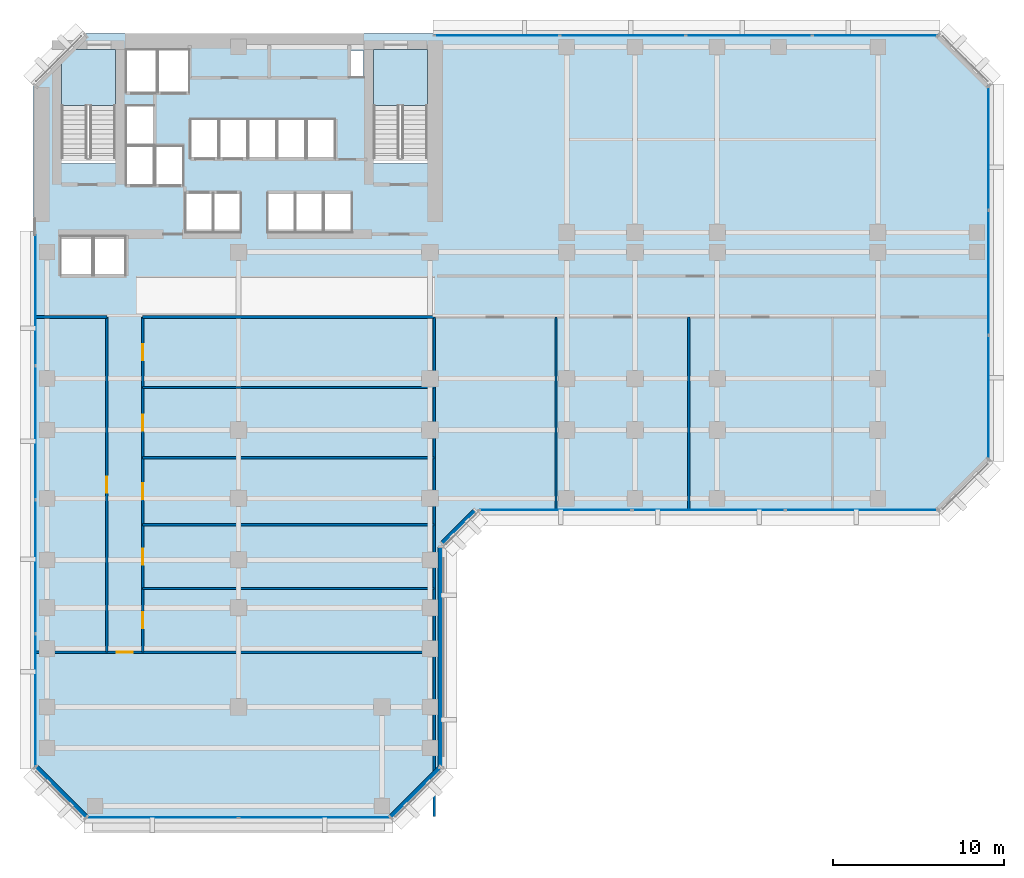
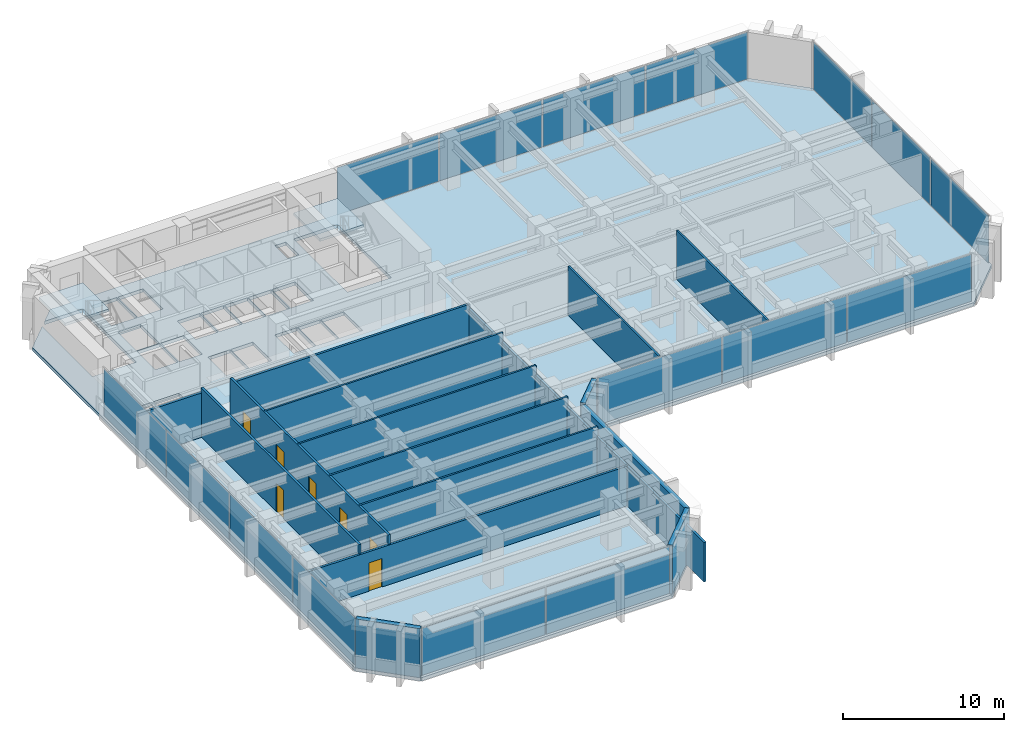
# One storey, part 6 of 13: 16 plates, 16 walls, 7 doors, 3 slabs, 7 openings, 7 elements without a shape of their own.
"""IFC4 building model written with IfcOpenShell, lengths in metres."""

from ifc_helpers import new_model, si_unit, direction, frame, frame_2d, origin, origin_2d, place, context, subcontext, project, spatial, polyline, rectangle, outline, extrude, material, layer, layer_set, type_object, element, fill, aggregate, save


model = new_model("IFC4")

# Units and contexts
model_context = context("Model", 3, precision=1e-05, world=origin(), true_north=direction((0.0, 1.0)))
body_context = subcontext(model_context, "Body", "Model", "MODEL_VIEW")
ifc_project = project(units=[si_unit("LENGTHUNIT", "METRE"), si_unit("AREAUNIT", "SQUARE_METRE"), si_unit("VOLUMEUNIT", "CUBIC_METRE"), si_unit("PLANEANGLEUNIT", "RADIAN"), si_unit("MASSUNIT", "GRAM", prefix="KILO")], contexts=[model_context])

# Site, building, storey
site_placement = place(None, origin())
site = spatial("IfcSite", under=ifc_project, at=site_placement, CompositionType="ELEMENT")
building_placement = place(site_placement, origin())
building = spatial("IfcBuilding", under=site, at=building_placement, Name="Kefirva Bronze Tower", CompositionType="ELEMENT")
storey_placement = place(building_placement, frame((0.0, 0.0, 85.800048828125)))
storey = spatial("IfcBuildingStorey", under=building, at=storey_placement, Name="L20", CompositionType="ELEMENT", Elevation=85.800048828125)

# Stair, slab
ifc_material_1 = material(Name="Concrete C40/50", Category="concrete")
stair_type = type_object("IfcStairType", Name="RC Dogleg Protected Stair 24R", PredefinedType="HALF_TURN_STAIR", material=ifc_material_1)
stair_1_placement = place(storey_placement, origin())
stair_1 = element("IfcStair", 1, at=stair_1_placement, inside=storey, type_object=stair_type, Name="L20 Protected Exit Stair 1", PredefinedType="HALF_TURN_STAIR")
ifc_layer_1 = layer(ifc_material_1, 0.199951171875, Name="Concrete C40/50")
ifc_layer_set_1 = layer_set([ifc_layer_1], Name="Concrete C40/50")
slab_type_1 = type_object("IfcSlabType", Name="RC Stair Landing Slab 200mm", PredefinedType="LANDING", material=ifc_layer_set_1)
slab_1_placement = place(storey_placement, frame((0.0, 0.0, 1.780029296875)))
slab_1 = element("IfcSlab", 2, at=slab_1_placement, type_object=slab_type_1, Name="ST-1 landing 1", PredefinedType="LANDING", context=body_context, shape_type="SweptSolid", body=[
    extrude(outline(polyline([(4.800048828125, 41.780029296875), (4.800048828125, 45.050048828125), (1.64990234375, 45.050048828125), (1.64990234375, 41.780029296875), (4.800048828125, 41.780029296875)])), origin(), (0.0, 0.0, 1.0), 0.199951171875),
])
aggregate(stair_1, [slab_1])

stair_2_placement = place(storey_placement, origin())
stair_2 = element("IfcStair", 3, at=stair_2_placement, inside=storey, type_object=stair_type, Name="L20 Protected Exit Stair 2", PredefinedType="HALF_TURN_STAIR")
slab_2_placement = place(storey_placement, frame((0.0, 0.0, 1.780029296875)))
slab_2 = element("IfcSlab", 4, at=slab_2_placement, type_object=slab_type_1, Name="ST-2 landing 1", PredefinedType="LANDING", context=body_context, shape_type="SweptSolid", body=[
    extrude(outline(polyline([(23.050048828125, 41.780029296875), (23.050048828125, 45.050048828125), (19.89990234375, 45.050048828125), (19.89990234375, 41.780029296875), (23.050048828125, 41.780029296875)])), origin(), (0.0, 0.0, 1.0), 0.199951171875),
])
aggregate(stair_2, [slab_2])

# Slab
ifc_layer_2 = layer(ifc_material_1, 0.25, Name="Concrete C40/50")
ifc_layer_set_2 = layer_set([ifc_layer_2], Name="Concrete C40/50")
slab_type_2 = type_object("IfcSlabType", Name="RC Tower Floor Slab 250mm", PredefinedType="FLOOR", material=ifc_layer_set_2)
slab_3_placement = place(storey_placement, frame((0.0, 0.0, -0.25)))
element("IfcSlab", 5, at=slab_3_placement, inside=storey, type_object=slab_type_2, Name="L20 Structural Floor Slab", PredefinedType="FLOOR", context=body_context, shape_type="SweptSolid", body=[
    extrude(outline(polyline([(0.0, 3.0), (0.0, 43.0), (1.64990234375, 44.64990234375), (1.64990234375, 38.39990234375), (4.800048828125, 38.39990234375), (4.800048828125, 45.050048828125), (2.050048828125, 45.050048828125), (3.0, 46.0), (53.0, 46.0), (56.0, 43.0), (56.0, 21.0), (53.0, 18.0), (26.0, 18.0), (24.0, 16.0), (24.0, 3.0), (21.0, 0.0), (3.0, 0.0), (0.0, 3.0)]), holes=[polyline([(19.89990234375, 38.39990234375), (23.050048828125, 38.39990234375), (23.050048828125, 45.050048828125), (19.89990234375, 45.050048828125), (19.89990234375, 38.39990234375)]), polyline([(18.52001953125, 43.419921875), (19.320068359375, 43.419921875), (19.320068359375, 45.0), (18.52001953125, 45.0), (18.52001953125, 43.419921875)]), polyline([(17.0, 34.35009765625), (18.64990234375, 34.35009765625), (18.64990234375, 36.64990234375), (17.0, 36.64990234375), (17.0, 34.35009765625)]), polyline([(17.64990234375, 38.679931640625), (17.64990234375, 40.97998046875), (16.0, 40.97998046875), (16.0, 38.679931640625), (17.64990234375, 38.679931640625)]), polyline([(16.949951171875, 34.35009765625), (16.949951171875, 36.64990234375), (15.35009765625, 36.64990234375), (15.35009765625, 34.35009765625), (16.949951171875, 34.35009765625)]), polyline([(15.929931640625, 38.679931640625), (15.929931640625, 40.97998046875), (14.300048828125, 40.97998046875), (14.300048828125, 38.679931640625), (15.929931640625, 38.679931640625)]), polyline([(15.300048828125, 34.35009765625), (15.300048828125, 36.64990234375), (13.699951171875, 36.64990234375), (13.699951171875, 34.35009765625), (15.300048828125, 34.35009765625)]), polyline([(14.22998046875, 38.679931640625), (14.22998046875, 40.97998046875), (12.60009765625, 40.97998046875), (12.60009765625, 38.679931640625), (14.22998046875, 38.679931640625)]), polyline([(10.89990234375, 38.679931640625), (12.530029296875, 38.679931640625), (12.530029296875, 40.97998046875), (10.89990234375, 40.97998046875), (10.89990234375, 38.679931640625)]), polyline([(12.139892578125, 34.35009765625), (12.139892578125, 36.64990234375), (10.5400390625, 36.64990234375), (10.5400390625, 34.35009765625), (12.139892578125, 34.35009765625)]), polyline([(10.830078125, 38.679931640625), (10.830078125, 40.97998046875), (9.199951171875, 40.97998046875), (9.199951171875, 38.679931640625), (10.830078125, 38.679931640625)]), polyline([(10.5, 34.35009765625), (10.5, 36.64990234375), (8.89990234375, 36.64990234375), (8.89990234375, 34.35009765625), (10.5, 34.35009765625)]), polyline([(7.300048828125, 42.550048828125), (9.1201171875, 42.550048828125), (9.1201171875, 45.050048828125), (7.300048828125, 45.050048828125), (7.300048828125, 42.550048828125)]), polyline([(7.139892578125, 37.10009765625), (8.780029296875, 37.10009765625), (8.780029296875, 39.39990234375), (7.139892578125, 39.39990234375), (7.139892578125, 37.10009765625)]), polyline([(5.419921875, 42.550048828125), (7.239990234375, 42.550048828125), (7.239990234375, 45.050048828125), (5.419921875, 45.050048828125), (5.419921875, 42.550048828125)]), polyline([(7.06005859375, 39.47998046875), (7.06005859375, 41.780029296875), (5.419921875, 41.780029296875), (5.419921875, 39.47998046875), (7.06005859375, 39.47998046875)]), polyline([(5.419921875, 37.10009765625), (7.06005859375, 37.10009765625), (7.06005859375, 39.39990234375), (5.419921875, 39.39990234375), (5.419921875, 37.10009765625)]), polyline([(5.39990234375, 31.85009765625), (5.39990234375, 34.14990234375), (3.550048828125, 34.14990234375), (3.550048828125, 31.85009765625), (5.39990234375, 31.85009765625)]), polyline([(3.449951171875, 31.85009765625), (3.449951171875, 34.14990234375), (1.60009765625, 34.14990234375), (1.60009765625, 31.85009765625), (3.449951171875, 31.85009765625)])]), origin(), (0.0, 0.0, 1.0), 0.25),
])

# Curtain wall, plates
ifc_material_2 = material(Name="Bronze anodised aluminium", Category="aluminium")
ifc_layer_3 = layer(ifc_material_2, 0.199951171875, Name="Bronze anodised aluminium")
ifc_layer_set_3 = layer_set([ifc_layer_3], Name="Bronze anodised aluminium")
curtain_wall_type = type_object("IfcCurtainWallType", Name="Unitised Bronze Ribbon Curtain Wall Zone 1", PredefinedType="USERDEFINED", material=ifc_layer_set_3)
curtain_wall_1_placement = place(storey_placement, origin())
curtain_wall_1 = element("IfcCurtainWall", 6, at=curtain_wall_1_placement, inside=storey, type_object=curtain_wall_type, Name="L20 Curtain Wall 1", ObjectType="UNITISED CURTAIN WALL", PredefinedType="USERDEFINED")
ifc_material_3 = material(Name="Laminated low-E double glazing", Category="glass")
ifc_layer_4 = layer(ifc_material_3, 0.031982421875, Name="Laminated low-E double glazing")
ifc_layer_set_4 = layer_set([ifc_layer_4], Name="Laminated low-E double glazing")
plate_type = type_object("IfcPlateType", Name="Solar-Control Low-E Vision Panel 32mm", PredefinedType="CURTAIN_PANEL", material=ifc_layer_set_4)
plate_1_placement = place(storey_placement, frame((7.546142578125, 0.1201171875, 0.074951171875), z_axis=(0.0, 0.0, 1.0), x_axis=(1.0, 0.0, 0.0)))
plate_1 = element("IfcPlate", 7, at=plate_1_placement, type_object=plate_type, Name="CW-01 panel 1.1", PredefinedType="CURTAIN_PANEL", context=body_context, shape_type="SweptSolid", body=[
    extrude(rectangle(XDim=8.83251953125, YDim=0.031982421875, at=origin_2d()), origin(), (0.0, 0.0, 1.0), 3.56005859375),
])
plate_2_placement = place(storey_placement, frame((16.453857421875, 0.1201171875, 0.074951171875), z_axis=(0.0, 0.0, 1.0), x_axis=(1.0, 0.0, 0.0)))
plate_2 = element("IfcPlate", 8, at=plate_2_placement, type_object=plate_type, Name="CW-01 panel 2.1", PredefinedType="CURTAIN_PANEL", context=body_context, shape_type="SweptSolid", body=[
    extrude(rectangle(XDim=8.83251953125, YDim=0.031982421875, at=origin_2d()), origin(), (0.0, 0.0, 1.0), 3.56005859375),
])
aggregate(curtain_wall_1, [plate_1, plate_2])

curtain_wall_2_placement = place(storey_placement, origin())
curtain_wall_2 = element("IfcCurtainWall", 9, at=curtain_wall_2_placement, inside=storey, type_object=curtain_wall_type, Name="L20 Curtain Wall 2", ObjectType="UNITISED CURTAIN WALL", PredefinedType="USERDEFINED")
plate_3_placement = place(storey_placement, frame((30.555419921875, 18.1201171875, 0.074951171875), z_axis=(0.0, 0.0, 1.0), x_axis=(1.0, 0.0, 0.0)))
plate_3 = element("IfcPlate", 10, at=plate_3_placement, type_object=plate_type, Name="CW-01 panel 1.1", PredefinedType="CURTAIN_PANEL", context=body_context, shape_type="SweptSolid", body=[
    extrude(rectangle(XDim=8.850830078125, YDim=0.031982421875, at=origin_2d()), origin(), (0.0, 0.0, 1.0), 3.56005859375),
])
plate_4_placement = place(storey_placement, frame((39.5, 18.1201171875, 0.074951171875), z_axis=(0.0, 0.0, 1.0), x_axis=(1.0, 0.0, 0.0)))
plate_4 = element("IfcPlate", 11, at=plate_4_placement, type_object=plate_type, Name="CW-01 panel 2.1", PredefinedType="CURTAIN_PANEL", context=body_context, shape_type="SweptSolid", body=[
    extrude(rectangle(XDim=8.888427734375, YDim=0.031982421875, at=origin_2d()), origin(), (0.0, 0.0, 1.0), 3.56005859375),
])
plate_5_placement = place(storey_placement, frame((48.444580078125, 18.1201171875, 0.074951171875), z_axis=(0.0, 0.0, 1.0), x_axis=(1.0, 0.0, 0.0)))
plate_5 = element("IfcPlate", 12, at=plate_5_placement, type_object=plate_type, Name="CW-01 panel 3.1", PredefinedType="CURTAIN_PANEL", context=body_context, shape_type="SweptSolid", body=[
    extrude(rectangle(XDim=8.850830078125, YDim=0.031982421875, at=origin_2d()), origin(), (0.0, 0.0, 1.0), 3.56005859375),
])
aggregate(curtain_wall_2, [plate_3, plate_4, plate_5])

curtain_wall_3_placement = place(storey_placement, origin())
curtain_wall_3 = element("IfcCurtainWall", 13, at=curtain_wall_3_placement, inside=storey, type_object=curtain_wall_type, Name="L20 Curtain Wall 3", ObjectType="UNITISED CURTAIN WALL", PredefinedType="USERDEFINED")
plate_6_placement = place(storey_placement, frame((55.8798828125, 24.72216796875, 0.074951171875), z_axis=(0.0, 0.0, 1.0), x_axis=(0.0, 1.0, 0.0)))
plate_6 = element("IfcPlate", 14, at=plate_6_placement, type_object=plate_type, Name="CW-01 panel 1.1", PredefinedType="CURTAIN_PANEL", context=body_context, shape_type="SweptSolid", body=[
    extrude(rectangle(XDim=7.18408203125, YDim=0.031982421875, at=origin_2d()), origin(), (0.0, 0.0, 1.0), 3.56005859375),
])
plate_7_placement = place(storey_placement, frame((55.8798828125, 32.0, 0.074951171875), z_axis=(0.0, 0.0, 1.0), x_axis=(0.0, 1.0, 0.0)))
plate_7 = element("IfcPlate", 15, at=plate_7_placement, type_object=plate_type, Name="CW-01 panel 2.1", PredefinedType="CURTAIN_PANEL", context=body_context, shape_type="SweptSolid", body=[
    extrude(rectangle(XDim=7.2216796875, YDim=0.031982421875, at=origin_2d()), origin(), (0.0, 0.0, 1.0), 3.56005859375),
])
plate_8_placement = place(storey_placement, frame((55.8798828125, 39.27783203125, 0.074951171875), z_axis=(0.0, 0.0, 1.0), x_axis=(0.0, 1.0, 0.0)))
plate_8 = element("IfcPlate", 16, at=plate_8_placement, type_object=plate_type, Name="CW-01 panel 3.1", PredefinedType="CURTAIN_PANEL", context=body_context, shape_type="SweptSolid", body=[
    extrude(rectangle(XDim=7.18408203125, YDim=0.031982421875, at=origin_2d()), origin(), (0.0, 0.0, 1.0), 3.56005859375),
])
aggregate(curtain_wall_3, [plate_6, plate_7, plate_8])

curtain_wall_4_placement = place(storey_placement, origin())
curtain_wall_4 = element("IfcCurtainWall", 17, at=curtain_wall_4_placement, inside=storey, type_object=curtain_wall_type, Name="L20 Curtain Wall 4", ObjectType="UNITISED CURTAIN WALL", PredefinedType="USERDEFINED")
plate_9_placement = place(storey_placement, frame((49.233642578125, 45.8798828125, 0.074951171875), z_axis=(0.0, 0.0, 1.0), x_axis=(-1.0, 0.0, 0.0)))
plate_9 = element("IfcPlate", 18, at=plate_9_placement, type_object=plate_type, Name="CW-01 panel 1.1", PredefinedType="CURTAIN_PANEL", context=body_context, shape_type="SweptSolid", body=[
    extrude(rectangle(XDim=7.2724609375, YDim=0.031982421875, at=origin_2d()), origin(), (0.0, 0.0, 1.0), 3.56005859375),
])
plate_10_placement = place(storey_placement, frame((41.867431640625, 45.8798828125, 0.074951171875), z_axis=(0.0, 0.0, 1.0), x_axis=(-1.0, 0.0, 0.0)))
plate_10 = element("IfcPlate", 19, at=plate_10_placement, type_object=plate_type, Name="CW-01 panel 2.1", PredefinedType="CURTAIN_PANEL", context=body_context, shape_type="SweptSolid", body=[
    extrude(rectangle(XDim=7.31005859375, YDim=0.031982421875, at=origin_2d()), origin(), (0.0, 0.0, 1.0), 3.56005859375),
])
plate_11_placement = place(storey_placement, frame((34.482421875, 45.8798828125, 0.074951171875), z_axis=(0.0, 0.0, 1.0), x_axis=(-1.0, 0.0, 0.0)))
plate_11 = element("IfcPlate", 20, at=plate_11_placement, type_object=plate_type, Name="CW-01 panel 3.1", PredefinedType="CURTAIN_PANEL", context=body_context, shape_type="SweptSolid", body=[
    extrude(rectangle(XDim=7.31005859375, YDim=0.031982421875, at=origin_2d()), origin(), (0.0, 0.0, 1.0), 3.56005859375),
])
plate_12_placement = place(storey_placement, frame((27.1162109375, 45.8798828125, 0.074951171875), z_axis=(0.0, 0.0, 1.0), x_axis=(-1.0, 0.0, 0.0)))
plate_12 = element("IfcPlate", 21, at=plate_12_placement, type_object=plate_type, Name="CW-01 panel 4.1", PredefinedType="CURTAIN_PANEL", context=body_context, shape_type="SweptSolid", body=[
    extrude(rectangle(XDim=7.2724609375, YDim=0.031982421875, at=origin_2d()), origin(), (0.0, 0.0, 1.0), 3.56005859375),
])
aggregate(curtain_wall_4, [plate_9, plate_10, plate_11, plate_12])

curtain_wall_5_placement = place(storey_placement, origin())
curtain_wall_5 = element("IfcCurtainWall", 22, at=curtain_wall_5_placement, inside=storey, type_object=curtain_wall_type, Name="L20 Curtain Wall 5", ObjectType="UNITISED CURTAIN WALL", PredefinedType="USERDEFINED")
plate_13_placement = place(storey_placement, frame((0.1201171875, 30.458740234375, 0.074951171875), z_axis=(0.0, 0.0, 1.0), x_axis=(0.0, -1.0, 0.0)))
plate_13 = element("IfcPlate", 23, at=plate_13_placement, type_object=plate_type, Name="CW-01 panel 1.1", PredefinedType="CURTAIN_PANEL", context=body_context, shape_type="SweptSolid", body=[
    extrude(rectangle(XDim=7.722412109375, YDim=0.031982421875, at=origin_2d()), origin(), (0.0, 0.0, 1.0), 3.56005859375),
])
plate_14_placement = place(storey_placement, frame((0.1201171875, 22.642578125, 0.074951171875), z_axis=(0.0, 0.0, 1.0), x_axis=(0.0, -1.0, 0.0)))
plate_14 = element("IfcPlate", 24, at=plate_14_placement, type_object=plate_type, Name="CW-01 panel 2.1", PredefinedType="CURTAIN_PANEL", context=body_context, shape_type="SweptSolid", body=[
    extrude(rectangle(XDim=7.760009765625, YDim=0.031982421875, at=origin_2d()), origin(), (0.0, 0.0, 1.0), 3.56005859375),
])
plate_15_placement = place(storey_placement, frame((0.1201171875, 14.8076171875, 0.074951171875), z_axis=(0.0, 0.0, 1.0), x_axis=(0.0, -1.0, 0.0)))
plate_15 = element("IfcPlate", 25, at=plate_15_placement, type_object=plate_type, Name="CW-01 panel 3.1", PredefinedType="CURTAIN_PANEL", context=body_context, shape_type="SweptSolid", body=[
    extrude(rectangle(XDim=7.760009765625, YDim=0.031982421875, at=origin_2d()), origin(), (0.0, 0.0, 1.0), 3.56005859375),
])
plate_16_placement = place(storey_placement, frame((0.1201171875, 6.9912109375, 0.074951171875), z_axis=(0.0, 0.0, 1.0), x_axis=(0.0, -1.0, 0.0)))
plate_16 = element("IfcPlate", 26, at=plate_16_placement, type_object=plate_type, Name="CW-01 panel 4.1", PredefinedType="CURTAIN_PANEL", context=body_context, shape_type="SweptSolid", body=[
    extrude(rectangle(XDim=7.722412109375, YDim=0.031982421875, at=origin_2d()), origin(), (0.0, 0.0, 1.0), 3.56005859375),
])
aggregate(curtain_wall_5, [plate_13, plate_14, plate_15, plate_16])

# Walls
ifc_material_4 = material(Name="Gypsum acoustic partition")
ifc_layer_5 = layer(ifc_material_4, 0.1298828125, Name="Gypsum acoustic partition")
ifc_layer_set_5 = layer_set([ifc_layer_5], Name="Gypsum acoustic partition")
wall_type_1 = type_object("IfcWallType", Name="Acoustic Office Partition 130mm", PredefinedType="PARTITIONING", material=ifc_layer_set_5)
for number, where, z_axis, x_axis, name in (
    (27, (6.39990234375, 13.52392578125, 0.0), (0.0, 0.0, 1.0), (1.0, 0.0, 0.0), "L20 Partition W-L20-SED1"),
    (28, (6.39990234375, 17.248046875, 0.0), (0.0, 0.0, 1.0), (1.0, 0.0, 0.0), "L20 Partition W-L20-SED2"),
    (29, (6.39990234375, 21.16796875, 0.0), (0.0, 0.0, 1.0), (1.0, 0.0, 0.0), "L20 Partition W-L20-SED3"),
    (30, (6.39990234375, 25.283935546875, 0.0), (0.0, 0.0, 1.0), (1.0, 0.0, 0.0), "L20 Partition W-L20-SED4"),
):
    element("IfcWall", number, at=place(storey_placement, frame(where, z_axis=z_axis, x_axis=x_axis)), inside=storey, type_object=wall_type_1, Name=name, PredefinedType="PARTITIONING", context=body_context, shape_type="SweptSolid", body=[
        extrude(rectangle(XDim=17.050048828125, YDim=0.1298828125, at=frame_2d((8.52490234375, 0.0))), origin(), (0.0, 0.0, 1.0), 3.7099609375),
    ])
for number, where, z_axis, x_axis, name in (
    (31, (30.569091796875, 18.18994140625, 0.0), (0.0, 0.0, 1.0), (0.0, 1.0, 0.0), "L20 Partition W-L20-ESD1"),
    (32, (38.335693359375, 18.18994140625, 0.0), (0.0, 0.0, 1.0), (0.0, 1.0, 0.0), "L20 Partition W-L20-ESD2"),
):
    element("IfcWall", number, at=place(storey_placement, frame(where, z_axis=z_axis, x_axis=x_axis)), inside=storey, type_object=wall_type_1, Name=name, PredefinedType="PARTITIONING", context=body_context, shape_type="SweptSolid", body=[
        extrude(rectangle(XDim=11.2099609375, YDim=0.1298828125, at=frame_2d((5.60498046875, 0.0))), origin(), (0.0, 0.0, 1.0), 3.7099609375),
    ])
ifc_material_5 = material(Name="Precast concrete C40/50", Category="concrete")
ifc_layer_6 = layer(ifc_material_5, 0.320068359375, Name="Precast concrete C40/50")
ifc_layer_set_6 = layer_set([ifc_layer_6], Name="Precast concrete C40/50")
wall_type_2 = type_object("IfcWallType", Name="Precast Insulated Exterior Wall 320mm", PredefinedType="SOLIDWALL", material=ifc_layer_set_6)
wall_1_placement = place(storey_placement, frame((20.92578125, 0.152099609375, 0.0), z_axis=(0.0, 0.0, 1.0), x_axis=(0.707106781187, 0.707106781187, 0.0)))
element("IfcWall", 33, at=wall_1_placement, inside=storey, type_object=wall_type_2, Name="L20 Exterior Facade Wall 1", PredefinedType="SOLIDWALL", context=body_context, shape_type="SweptSolid", body=[
    extrude(rectangle(XDim=4.132568359375, YDim=0.320068359375, at=frame_2d((2.06640625, 0.0))), origin(), (0.0, 0.0, 1.0), 3.7099609375),
])
wall_2_placement = place(storey_placement, frame((23.840087890625, 3.054931640625, 0.0), z_axis=(0.0, 0.0, 1.0), x_axis=(0.0, 1.0, 0.0)))
element("IfcWall", 34, at=wall_2_placement, inside=storey, type_object=wall_type_2, Name="L20 Exterior Facade Wall 2", PredefinedType="SOLIDWALL", context=body_context, shape_type="SweptSolid", body=[
    extrude(rectangle(XDim=12.89013671875, YDim=0.320068359375, at=frame_2d((6.445068359375, 0.0))), origin(), (0.0, 0.0, 1.0), 3.7099609375),
])
wall_3_placement = place(storey_placement, frame((23.92578125, 16.152099609375, 0.0), z_axis=(0.0, 0.0, 1.0), x_axis=(0.707106781187, 0.707106781187, 0.0)))
element("IfcWall", 35, at=wall_3_placement, inside=storey, type_object=wall_type_2, Name="L20 Exterior Facade Wall 3", PredefinedType="SOLIDWALL", context=body_context, shape_type="SweptSolid", body=[
    extrude(rectangle(XDim=2.71826171875, YDim=0.320068359375, at=frame_2d((1.359130859375, 0.0))), origin(), (0.0, 0.0, 1.0), 3.7099609375),
])
wall_4_placement = place(storey_placement, frame((0.152099609375, 3.07421875, 0.0), z_axis=(0.0, 0.0, 1.0), x_axis=(0.707106781187, -0.707106781187, 0.0)))
element("IfcWall", 36, at=wall_4_placement, inside=storey, type_object=wall_type_2, Name="L20 Exterior Facade Wall 7", PredefinedType="SOLIDWALL", context=body_context, shape_type="SweptSolid", body=[
    extrude(rectangle(XDim=4.132568359375, YDim=0.320068359375, at=frame_2d((2.06640625, 0.0))), origin(), (0.0, 0.0, 1.0), 3.7099609375),
])

# Wall, opening, door
ifc_layer_7 = layer(ifc_material_4, 0.159912109375, Name="Gypsum acoustic partition")
ifc_layer_set_7 = layer_set([ifc_layer_7], Name="Gypsum acoustic partition")
wall_type_3 = type_object("IfcWallType", Name="Protected Corridor Partition 160mm", PredefinedType="PARTITIONING", material=ifc_layer_set_7)
wall_5_placement = place(storey_placement, frame((4.300048828125, 9.800048828125, 0.0), z_axis=(0.0, 0.0, 1.0), x_axis=(0.0, 1.0, 0.0)))
wall_5 = element("IfcWall", 37, at=wall_5_placement, inside=storey, type_object=wall_type_3, Name="L20 Partition W-L20-SWCORW", PredefinedType="PARTITIONING", context=body_context, shape_type="SweptSolid", body=[
    extrude(rectangle(XDim=19.599853515625, YDim=0.159912109375, at=frame_2d((9.7998046875, 0.0))), origin(), (0.0, 0.0, 1.0), 3.7099609375),
])
opening_1_placement = place(wall_5_placement, frame((10.27490234375, 0.0, 0.0), z_axis=(0.0, 0.0, 1.0), x_axis=(-1.0, 0.0, 0.0)))
opening_1 = element("IfcOpeningElement", 38, at=opening_1_placement, cuts=wall_5, Name="Opening L20-D-SW1", PredefinedType="OPENING", context=body_context, shape_type="SweptSolid", body=[
    extrude(rectangle(XDim=0.949951171875, YDim=2.14990234375, at=frame_2d((0.47509765625, 1.074951171875))), frame((0.0, 0.08984375, 0.0), z_axis=(0.0, -1.0, 0.0), x_axis=(1.0, 0.0, 0.0)), (0.0, 0.0, 1.0), 0.179931640625),
])
ifc_material_6 = material(Name="Acoustic hardwood oak", Category="wood")
door_type = type_object("IfcDoorType", Name="Office & Meeting Room Door 950x2150", OperationType="NOTDEFINED", PredefinedType="DOOR", material=ifc_material_6)
door_1_placement = place(opening_1_placement, origin())
door_1 = element("IfcDoor", 39, at=door_1_placement, inside=storey, type_object=door_type, Name="Door L20-D-SW1", OperationType="SINGLE_SWING_RIGHT", OverallHeight=2.14990234375, OverallWidth=0.949951171875, PredefinedType="DOOR", context=body_context, shape_type="SweptSolid", body=[
    extrude(rectangle(XDim=0.949951171875, YDim=2.14990234375, at=frame_2d((0.47509765625, 1.074951171875))), frame((0.0, 0.02490234375, 0.0), z_axis=(0.0, -1.0, 0.0), x_axis=(1.0, 0.0, 0.0)), (0.0, 0.0, 1.0), 0.050048828125),
])
fill(opening_1, door_1)

# Wall, openings, doors
wall_6_placement = place(storey_placement, frame((6.39990234375, 9.800048828125, 0.0), z_axis=(0.0, 0.0, 1.0), x_axis=(0.0, 1.0, 0.0)))
wall_6 = element("IfcWall", 40, at=wall_6_placement, inside=storey, type_object=wall_type_3, Name="L20 Partition W-L20-SECORE", PredefinedType="PARTITIONING", context=body_context, shape_type="SweptSolid", body=[
    extrude(rectangle(XDim=19.599853515625, YDim=0.159912109375, at=frame_2d((9.7998046875, 0.0))), origin(), (0.0, 0.0, 1.0), 3.7099609375),
])
opening_2_placement = place(wall_6_placement, frame((1.386962890625, 0.0, 0.0)))
opening_2 = element("IfcOpeningElement", 41, at=opening_2_placement, cuts=wall_6, Name="Opening L20-D-SE1", PredefinedType="OPENING", context=body_context, shape_type="SweptSolid", body=[
    extrude(rectangle(XDim=0.949951171875, YDim=2.14990234375, at=frame_2d((0.47509765625, 1.074951171875))), frame((0.0, 0.08984375, 0.0), z_axis=(0.0, -1.0, 0.0), x_axis=(1.0, 0.0, 0.0)), (0.0, 0.0, 1.0), 0.179931640625),
])
opening_3_placement = place(wall_6_placement, frame((5.111083984375, 0.0, 0.0)))
opening_3 = element("IfcOpeningElement", 42, at=opening_3_placement, cuts=wall_6, Name="Opening L20-D-SE2", PredefinedType="OPENING", context=body_context, shape_type="SweptSolid", body=[
    extrude(rectangle(XDim=0.949951171875, YDim=2.14990234375, at=frame_2d((0.47509765625, 1.074951171875))), frame((0.0, 0.08984375, 0.0), z_axis=(0.0, -1.0, 0.0), x_axis=(1.0, 0.0, 0.0)), (0.0, 0.0, 1.0), 0.179931640625),
])
opening_4_placement = place(wall_6_placement, frame((8.93310546875, 0.0, 0.0)))
opening_4 = element("IfcOpeningElement", 43, at=opening_4_placement, cuts=wall_6, Name="Opening L20-D-SE3", PredefinedType="OPENING", context=body_context, shape_type="SweptSolid", body=[
    extrude(rectangle(XDim=0.949951171875, YDim=2.14990234375, at=frame_2d((0.47509765625, 1.074951171875))), frame((0.0, 0.08984375, 0.0), z_axis=(0.0, -1.0, 0.0), x_axis=(1.0, 0.0, 0.0)), (0.0, 0.0, 1.0), 0.179931640625),
])
opening_5_placement = place(wall_6_placement, frame((12.950927734375, 0.0, 0.0)))
opening_5 = element("IfcOpeningElement", 44, at=opening_5_placement, cuts=wall_6, Name="Opening L20-D-SE4", PredefinedType="OPENING", context=body_context, shape_type="SweptSolid", body=[
    extrude(rectangle(XDim=0.949951171875, YDim=2.14990234375, at=frame_2d((0.47509765625, 1.074951171875))), frame((0.0, 0.08984375, 0.0), z_axis=(0.0, -1.0, 0.0), x_axis=(1.0, 0.0, 0.0)), (0.0, 0.0, 1.0), 0.179931640625),
])
opening_6_placement = place(wall_6_placement, frame((17.06689453125, 0.0, 0.0)))
opening_6 = element("IfcOpeningElement", 45, at=opening_6_placement, cuts=wall_6, Name="Opening L20-D-SE5", PredefinedType="OPENING", context=body_context, shape_type="SweptSolid", body=[
    extrude(rectangle(XDim=0.949951171875, YDim=2.14990234375, at=frame_2d((0.47509765625, 1.074951171875))), frame((0.0, 0.08984375, 0.0), z_axis=(0.0, -1.0, 0.0), x_axis=(1.0, 0.0, 0.0)), (0.0, 0.0, 1.0), 0.179931640625),
])
door_2_placement = place(opening_2_placement, origin())
door_2 = element("IfcDoor", 46, at=door_2_placement, inside=storey, type_object=door_type, Name="Door L20-D-SE1", OperationType="SINGLE_SWING_LEFT", OverallHeight=2.14990234375, OverallWidth=0.949951171875, PredefinedType="DOOR", context=body_context, shape_type="SweptSolid", body=[
    extrude(rectangle(XDim=0.949951171875, YDim=2.14990234375, at=frame_2d((0.47509765625, 1.074951171875))), frame((0.0, 0.02490234375, 0.0), z_axis=(0.0, -1.0, 0.0), x_axis=(1.0, 0.0, 0.0)), (0.0, 0.0, 1.0), 0.050048828125),
])
fill(opening_2, door_2)
door_3_placement = place(opening_3_placement, origin())
door_3 = element("IfcDoor", 47, at=door_3_placement, inside=storey, type_object=door_type, Name="Door L20-D-SE2", OperationType="SINGLE_SWING_RIGHT", OverallHeight=2.14990234375, OverallWidth=0.949951171875, PredefinedType="DOOR", context=body_context, shape_type="SweptSolid", body=[
    extrude(rectangle(XDim=0.949951171875, YDim=2.14990234375, at=frame_2d((0.47509765625, 1.074951171875))), frame((0.0, 0.02490234375, 0.0), z_axis=(0.0, -1.0, 0.0), x_axis=(1.0, 0.0, 0.0)), (0.0, 0.0, 1.0), 0.050048828125),
])
fill(opening_3, door_3)
door_4_placement = place(opening_4_placement, origin())
door_4 = element("IfcDoor", 48, at=door_4_placement, inside=storey, type_object=door_type, Name="Door L20-D-SE3", OperationType="SINGLE_SWING_LEFT", OverallHeight=2.14990234375, OverallWidth=0.949951171875, PredefinedType="DOOR", context=body_context, shape_type="SweptSolid", body=[
    extrude(rectangle(XDim=0.949951171875, YDim=2.14990234375, at=frame_2d((0.47509765625, 1.074951171875))), frame((0.0, 0.02490234375, 0.0), z_axis=(0.0, -1.0, 0.0), x_axis=(1.0, 0.0, 0.0)), (0.0, 0.0, 1.0), 0.050048828125),
])
fill(opening_4, door_4)
door_5_placement = place(opening_5_placement, origin())
door_5 = element("IfcDoor", 49, at=door_5_placement, inside=storey, type_object=door_type, Name="Door L20-D-SE4", OperationType="SINGLE_SWING_RIGHT", OverallHeight=2.14990234375, OverallWidth=0.949951171875, PredefinedType="DOOR", context=body_context, shape_type="SweptSolid", body=[
    extrude(rectangle(XDim=0.949951171875, YDim=2.14990234375, at=frame_2d((0.47509765625, 1.074951171875))), frame((0.0, 0.02490234375, 0.0), z_axis=(0.0, -1.0, 0.0), x_axis=(1.0, 0.0, 0.0)), (0.0, 0.0, 1.0), 0.050048828125),
])
fill(opening_5, door_5)
door_6_placement = place(opening_6_placement, origin())
door_6 = element("IfcDoor", 50, at=door_6_placement, inside=storey, type_object=door_type, Name="Door L20-D-SE5", OperationType="SINGLE_SWING_LEFT", OverallHeight=2.14990234375, OverallWidth=0.949951171875, PredefinedType="DOOR", context=body_context, shape_type="SweptSolid", body=[
    extrude(rectangle(XDim=0.949951171875, YDim=2.14990234375, at=frame_2d((0.47509765625, 1.074951171875))), frame((0.0, 0.02490234375, 0.0), z_axis=(0.0, -1.0, 0.0), x_axis=(1.0, 0.0, 0.0)), (0.0, 0.0, 1.0), 0.050048828125),
])
fill(opening_6, door_6)

# Wall, opening, door
wall_7_placement = place(storey_placement, frame((0.18994140625, 9.800048828125, 0.0), z_axis=(0.0, 0.0, 1.0), x_axis=(1.0, 0.0, 0.0)))
wall_7 = element("IfcWall", 51, at=wall_7_placement, inside=storey, type_object=wall_type_3, Name="L20 Partition W-L20-SBEND", PredefinedType="PARTITIONING", context=body_context, shape_type="SweptSolid", body=[
    extrude(rectangle(XDim=23.260009765625, YDim=0.159912109375, at=frame_2d((11.6298828125, 0.0))), origin(), (0.0, 0.0, 1.0), 2.994873046875),
])
opening_7_placement = place(wall_7_placement, frame((4.68994140625, 0.0, 0.0)))
opening_7 = element("IfcOpeningElement", 52, at=opening_7_placement, cuts=wall_7, Name="Opening L20-D-SEND1", PredefinedType="OPENING", context=body_context, shape_type="SweptSolid", body=[
    extrude(rectangle(XDim=0.949951171875, YDim=2.14990234375, at=frame_2d((0.47509765625, 1.074951171875))), frame((0.0, 0.08984375, 0.0), z_axis=(0.0, -1.0, 0.0), x_axis=(1.0, 0.0, 0.0)), (0.0, 0.0, 1.0), 0.179931640625),
])
door_7_placement = place(opening_7_placement, origin())
door_7 = element("IfcDoor", 53, at=door_7_placement, inside=storey, type_object=door_type, Name="Door L20-D-SEND1", OperationType="SINGLE_SWING_LEFT", OverallHeight=2.14990234375, OverallWidth=0.949951171875, PredefinedType="DOOR", context=body_context, shape_type="SweptSolid", body=[
    extrude(rectangle(XDim=0.949951171875, YDim=2.14990234375, at=frame_2d((0.47509765625, 1.074951171875))), frame((0.0, 0.02490234375, 0.0), z_axis=(0.0, -1.0, 0.0), x_axis=(1.0, 0.0, 0.0)), (0.0, 0.0, 1.0), 0.050048828125),
])
fill(opening_7, door_7)

# Walls
wall_8_placement = place(storey_placement, frame((0.18994140625, 29.39990234375, 0.0), z_axis=(0.0, 0.0, 1.0), x_axis=(1.0, 0.0, 0.0)))
element("IfcWall", 54, at=wall_8_placement, inside=storey, type_object=wall_type_3, Name="L20 Partition W-L20-NWT", PredefinedType="PARTITIONING", context=body_context, shape_type="SweptSolid", body=[
    extrude(rectangle(XDim=4.110107421875, YDim=0.159912109375, at=frame_2d((2.05517578125, 0.0))), origin(), (0.0, 0.0, 1.0), 3.364990234375),
])
wall_9_placement = place(storey_placement, frame((6.39990234375, 29.39990234375, 0.0), z_axis=(0.0, 0.0, 1.0), x_axis=(1.0, 0.0, 0.0)))
element("IfcWall", 55, at=wall_9_placement, inside=storey, type_object=wall_type_3, Name="L20 Partition W-L20-NET", PredefinedType="PARTITIONING", context=body_context, shape_type="SweptSolid", body=[
    extrude(rectangle(XDim=17.050048828125, YDim=0.159912109375, at=frame_2d((8.52490234375, 0.0))), origin(), (0.0, 0.0, 1.0), 3.364990234375),
])
wall_10_placement = place(storey_placement, frame((23.449951171875, 0.18994140625, 0.0), z_axis=(0.0, 0.0, 1.0), x_axis=(0.0, 1.0, 0.0)))
element("IfcWall", 56, at=wall_10_placement, inside=storey, type_object=wall_type_3, Name="L20 Partition W-L20-SWEAST", PredefinedType="PARTITIONING", context=body_context, shape_type="SweptSolid", body=[
    extrude(rectangle(XDim=29.2099609375, YDim=0.159912109375, at=frame_2d((14.60498046875, 0.0))), origin(), (0.0, 0.0, 1.0), 2.994873046875),
])

save(model, "model.ifc")
